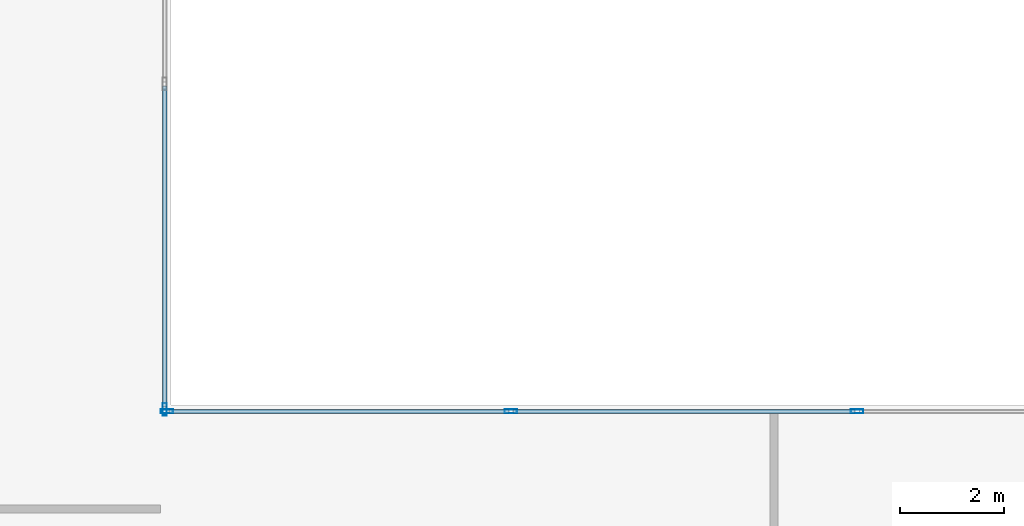
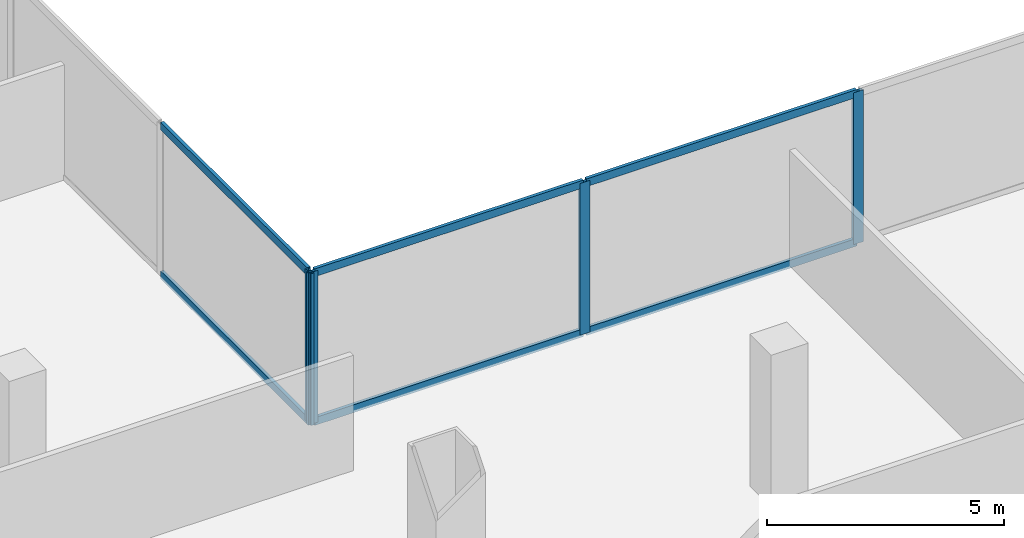
# One storey, part 9 of 29: 10 members, 2 elements without a shape of their own.
"""IFC4 building model written with IfcOpenShell, lengths in metres."""

import ifcopenshell
import ifcopenshell.guid

model = None  # the IFC model being written
_history = None  # IfcOwnerHistory: only IFC2X3 demands one
_inside = {}  # id of a spatial element -> (the spatial element, [elements in it])
_under = {}  # id of a project, library or spatial element -> (it, [spatial elements below it])
_declared = {}  # id of a project -> (the project, [libraries it declares])
_typed = {}  # id of a type object -> (the type object, [elements of that type])
_made_of = {}  # id of a material, layer set ... -> (it, [elements and type objects made of it])


def new_model(schema):
    """Start an empty IFC model of exactly this schema.

    Asked for "IFC4X3", IfcOpenShell would pick the latest addendum, in which some entities
    have other attributes; the version numbers below select the first issue.
    IFC2X3 requires an IfcOwnerHistory on every rooted entity: one is made here for all.
    """
    global model, _history
    if schema == "IFC4X3":
        model = ifcopenshell.file(schema_version=(4, 3, 0, 0))
    else:
        model = ifcopenshell.file(schema=schema)
    _inside.clear()
    _under.clear()
    _declared.clear()
    _typed.clear()
    _made_of.clear()
    _history = None
    if model.schema == "IFC2X3":
        org = make("IfcOrganization", Name="unknown")
        user = make(
            "IfcPersonAndOrganization",
            ThePerson=make("IfcPerson", FamilyName="unknown"),
            TheOrganization=org,
        )
        app = make(
            "IfcApplication",
            ApplicationDeveloper=org,
            Version="unknown",
            ApplicationFullName="unknown",
            ApplicationIdentifier="unknown",
        )
        _history = make(
            "IfcOwnerHistory",
            OwningUser=user,
            OwningApplication=app,
            ChangeAction="ADDED",
            CreationDate=0,
        )
    return model


def make(cls, **values):
    """One entity of the class cls with the attributes given. An attribute that is None is left unset."""
    return model.create_entity(
        cls, **{name: value for name, value in values.items() if value is not None}
    )


def rooted(cls, **values):
    """An entity with a GlobalId (a new one), such as an element, a storey or a relation."""
    return make(cls, GlobalId=ifcopenshell.guid.new(), OwnerHistory=_history, **values)


def si_unit(unit_type, name, prefix=None):
    """IfcSIUnit, for example si_unit("LENGTHUNIT", "METRE", prefix="MILLI")."""
    return make("IfcSIUnit", UnitType=unit_type, Prefix=prefix, Name=name)


def assignment(units):
    """IfcUnitAssignment: the units of a project."""
    return None if units is None else make("IfcUnitAssignment", Units=units)


def point(xyz):
    """IfcCartesianPoint."""
    return None if xyz is None else make("IfcCartesianPoint", Coordinates=xyz)


def direction(xyz):
    """IfcDirection."""
    return None if xyz is None else make("IfcDirection", DirectionRatios=xyz)


def frame(location, z_axis=None, x_axis=None):
    """IfcAxis2Placement3D, a coordinate frame: its origin and axes. An axis left out is left unset."""
    return make(
        "IfcAxis2Placement3D",
        Location=point(location),
        Axis=direction(z_axis),
        RefDirection=direction(x_axis),
    )


def frame_2d(location, x_axis=None):
    """IfcAxis2Placement2D, a coordinate frame in the plane: its origin and x axis."""
    return make(
        "IfcAxis2Placement2D", Location=point(location), RefDirection=direction(x_axis)
    )


def origin():
    """The frame at (0, 0, 0) with its axes left unset."""
    return frame((0.0, 0.0, 0.0))


def origin_2d():
    """The frame at (0, 0) in the plane with its x axis left unset."""
    return frame_2d((0.0, 0.0))


def place(relative_to, where):
    """IfcLocalPlacement: puts the frame where relative to a parent placement (None: the world)."""
    return make(
        "IfcLocalPlacement", PlacementRelTo=relative_to, RelativePlacement=where
    )


def context(
    kind, dimensions, precision=None, world=None, true_north=None, identifier=None
):
    """IfcGeometricRepresentationContext, for example the 3D "Model" context."""
    return make(
        "IfcGeometricRepresentationContext",
        ContextIdentifier=identifier,
        ContextType=kind,
        CoordinateSpaceDimension=dimensions,
        Precision=precision,
        WorldCoordinateSystem=world,
        TrueNorth=true_north,
    )


def subcontext(parent, identifier, kind, view, scale=None):
    """IfcGeometricRepresentationSubContext, for example "Body" below "Model"."""
    return make(
        "IfcGeometricRepresentationSubContext",
        ContextIdentifier=identifier,
        ContextType=kind,
        ParentContext=parent,
        TargetScale=scale,
        TargetView=view,
    )


def project(units=None, contexts=None):
    """IfcProject with its units and contexts."""
    return rooted(
        "IfcProject",
        Name="project",
        RepresentationContexts=contexts,
        UnitsInContext=assignment(units),
    )


def spatial(cls, under=None, at=None, **own):
    """A site, building, storey or space (cls), placed at a placement, below another one or the project."""
    s = rooted(cls, ObjectPlacement=at, **own)
    if under is not None:
        _under.setdefault(under.id(), (under, []))[1].append(s)
    return s


def profile(cls, at=None, kind="AREA", **sizes):
    """A parametric profile (cls). Its sizes go by their IFC names, for example OverallWidth=200.0."""
    return make(cls, ProfileType=kind, Position=at, **sizes)


def hollow_rectangle(**sizes):
    """IfcRectangleHollowProfileDef."""
    return profile("IfcRectangleHollowProfileDef", **sizes)


def extrude(swept, where, along, depth):
    """IfcExtrudedAreaSolid: the profile swept, set in the frame where, extruded along a direction by depth."""
    return make(
        "IfcExtrudedAreaSolid",
        SweptArea=swept,
        Position=where,
        ExtrudedDirection=direction(along),
        Depth=depth,
    )


def shape(context_of_items, identifier, shape_type, items):
    """IfcShapeRepresentation: the items that make up one representation, for example the "Body"."""
    return make(
        "IfcShapeRepresentation",
        ContextOfItems=context_of_items,
        RepresentationIdentifier=identifier,
        RepresentationType=shape_type,
        Items=items,
    )


def material(Name=None, Category=None):
    """IfcMaterial."""
    return make("IfcMaterial", Name=Name, Category=Category)


def material_profile(
    of_material, cross_section, Name=None, Category=None, Priority=None
):
    """IfcMaterialProfile: a cross section and its material."""
    return make(
        "IfcMaterialProfile",
        Name=Name,
        Material=of_material,
        Profile=cross_section,
        Priority=Priority,
        Category=Category,
    )


def profile_set(profiles, Name=None, composite=None):
    """IfcMaterialProfileSet."""
    return make(
        "IfcMaterialProfileSet",
        Name=Name,
        MaterialProfiles=profiles,
        CompositeProfile=composite,
    )


def made_of(thing, what):
    """Note that an element or type object is made of a material, layer set ...; save() writes the relation."""
    if what is not None:
        _made_of.setdefault(what.id(), (what, []))[1].append(thing)
    return thing


def type_object(cls, material=None, **own):
    """A type object (cls), such as IfcWallType, which elements share."""
    return made_of(rooted(cls, **own), material)


def element(
    cls,
    number,
    at=None,
    inside=None,
    cuts=None,
    type_object=None,
    material=None,
    context=None,
    identifier="Body",
    shape_type=None,
    held_by="IfcProductDefinitionShape",
    body=None,
    shapes=None,
    **own,
):
    """One element of the class cls, such as IfcWall. Its Tag is "e" and its number.

    at: its placement. inside: the storey or other place that contains it. cuts: it is an
    opening in that element (IfcRelVoidsElement). A single representation is given by context,
    identifier, shape_type and body (its items); several are given by shapes. held_by: the class
    of the entity that holds the representations. save() writes the other relations.
    """
    e = rooted(cls, Tag="e%d" % number, ObjectPlacement=at, **own)
    if body is not None:
        shapes = [shape(context, identifier, shape_type, body)]
    if shapes is not None:
        e.Representation = make(held_by, Representations=shapes)
    if inside is not None:
        _inside.setdefault(inside.id(), (inside, []))[1].append(e)
    if cuts is not None:
        rooted(
            "IfcRelVoidsElement", RelatingBuildingElement=cuts, RelatedOpeningElement=e
        )
    if type_object is not None:
        _typed.setdefault(type_object.id(), (type_object, []))[1].append(e)
    return made_of(e, material)


def aggregate(whole, parts):
    """IfcRelAggregates: a whole, such as a stair, and the parts it consists of."""
    return rooted("IfcRelAggregates", RelatingObject=whole, RelatedObjects=parts)


def save(model, path):
    """Write the relations noted so far, then the file.

    IfcRelAggregates (storeys below a building ...), IfcRelContainedInSpatialStructure (elements
    in a storey), IfcRelDefinesByType, IfcRelAssociatesMaterial and IfcRelDeclares: one each for
    every whole, place, type object, material and project.
    """
    for whole, parts in _under.values():
        aggregate(whole, parts)
    for where, things in _inside.values():
        rooted(
            "IfcRelContainedInSpatialStructure",
            RelatedElements=things,
            RelatingStructure=where,
        )
    for kind, things in _typed.values():
        rooted("IfcRelDefinesByType", RelatedObjects=things, RelatingType=kind)
    for what, things in _made_of.values():
        rooted("IfcRelAssociatesMaterial", RelatedObjects=things, RelatingMaterial=what)
    for by, libraries in _declared.values():
        rooted("IfcRelDeclares", RelatingContext=by, RelatedDefinitions=libraries)
    model.write(path)


model = new_model("IFC4")

# Units and contexts
model_context = context("Model", 3, precision=1e-05, world=origin(), true_north=direction((0.0, 1.0)))
body_context = subcontext(model_context, "Body", "Model", "MODEL_VIEW")
ifc_project = project(units=[si_unit("LENGTHUNIT", "METRE"), si_unit("AREAUNIT", "SQUARE_METRE"), si_unit("VOLUMEUNIT", "CUBIC_METRE"), si_unit("PLANEANGLEUNIT", "RADIAN"), si_unit("MASSUNIT", "GRAM", prefix="KILO")], contexts=[model_context])

# Site, building, storey
site_placement = place(None, origin())
site = spatial("IfcSite", under=ifc_project, at=site_placement, CompositionType="ELEMENT")
building_placement = place(site_placement, origin())
building = spatial("IfcBuilding", under=site, at=building_placement, Name="Cobrela Telecom Tower", CompositionType="ELEMENT")
storey_placement = place(building_placement, frame((0.0, 0.0, 13.64990234375)))
storey = spatial("IfcBuildingStorey", under=building, at=storey_placement, Name="L03", CompositionType="ELEMENT", Elevation=13.64990234375)

# Curtain wall, member
ifc_material = material(Name="Anodized Bronze Aluminium 6063-T6", Category="aluminium")
curtain_wall_type = type_object("IfcCurtainWallType", Name="CW-SYS-CONC", PredefinedType="USERDEFINED", material=ifc_material)
curtain_wall_1_placement = place(storey_placement, origin())
curtain_wall_1 = element("IfcCurtainWall", 1, at=curtain_wall_1_placement, inside=storey, type_object=curtain_wall_type, Name="L03 Unitised Bronze Curtain Wall 10", ObjectType="UNITISED CURTAIN WALL", PredefinedType="USERDEFINED")
ifc_material_profile_1 = material_profile(ifc_material, hollow_rectangle(XDim=0.080078125, YDim=0.239990234375, WallThickness=0.0048828125, at=origin_2d()), Name="ALU 80x240x5")
ifc_profile_set_1 = profile_set([ifc_material_profile_1], Name="Anodized Bronze Aluminium 6063-T6")
member_type_1 = type_object("IfcMemberType", Name="CW-SYS-CONC-MUL", PredefinedType="MULLION", material=ifc_profile_set_1)
member_1_placement = place(storey_placement, frame((50.280029296875, 28.719970703125, 0.0), z_axis=(0.0, 0.0, 1.0), x_axis=(1.0, 0.0, 0.0)))
member_1 = element("IfcMember", 2, at=member_1_placement, type_object=member_type_1, Name="CW-CONC mullion 4", PredefinedType="MULLION", context=body_context, shape_type="SweptSolid", body=[
    extrude(hollow_rectangle(XDim=0.080078125, YDim=0.239990234375, WallThickness=0.0048828125, at=origin_2d()), origin(), (0.0, 0.0, 1.0), 3.91015625),
])

# Curtain wall, members
curtain_wall_2_placement = place(storey_placement, origin())
curtain_wall_2 = element("IfcCurtainWall", 3, at=curtain_wall_2_placement, inside=storey, type_object=curtain_wall_type, Name="L03 Unitised Bronze Curtain Wall 11", ObjectType="UNITISED CURTAIN WALL", PredefinedType="USERDEFINED")
member_2_placement = place(storey_placement, frame((50.320068359375, 28.679931640625, 0.0), z_axis=(0.0, 0.0, 1.0), x_axis=(0.0, 1.0, 0.0)))
member_2 = element("IfcMember", 4, at=member_2_placement, type_object=member_type_1, Name="CW-CONC mullion 1", PredefinedType="MULLION", context=body_context, shape_type="SweptSolid", body=[
    extrude(hollow_rectangle(XDim=0.080078125, YDim=0.239990234375, WallThickness=0.0048828125, at=origin_2d()), origin(), (0.0, 0.0, 1.0), 3.91015625),
])
member_3_placement = place(storey_placement, frame((56.93994140625, 28.679931640625, 0.0), z_axis=(0.0, 0.0, 1.0), x_axis=(0.0, 1.0, 0.0)))
member_3 = element("IfcMember", 5, at=member_3_placement, type_object=member_type_1, Name="CW-CONC mullion 2", PredefinedType="MULLION", context=body_context, shape_type="SweptSolid", body=[
    extrude(hollow_rectangle(XDim=0.080078125, YDim=0.239990234375, WallThickness=0.0048828125, at=origin_2d()), origin(), (0.0, 0.0, 1.0), 3.91015625),
])
member_4_placement = place(storey_placement, frame((63.60009765625, 28.679931640625, 0.0), z_axis=(0.0, 0.0, 1.0), x_axis=(0.0, 1.0, 0.0)))
member_4 = element("IfcMember", 6, at=member_4_placement, type_object=member_type_1, Name="CW-CONC mullion 3", PredefinedType="MULLION", context=body_context, shape_type="SweptSolid", body=[
    extrude(hollow_rectangle(XDim=0.080078125, YDim=0.239990234375, WallThickness=0.0048828125, at=origin_2d()), origin(), (0.0, 0.0, 1.0), 3.91015625),
])

# Member
ifc_material_profile_2 = material_profile(ifc_material, hollow_rectangle(XDim=0.080078125, YDim=0.199951171875, WallThickness=0.00390625, at=origin_2d()), Name="ALU 80x200x4")
ifc_profile_set_2 = profile_set([ifc_material_profile_2], Name="Anodized Bronze Aluminium 6063-T6")
member_type_2 = type_object("IfcMemberType", Name="CW-SYS-CONC-TRN", PredefinedType="USERDEFINED", material=ifc_profile_set_2)
member_5_placement = place(storey_placement, frame((50.280029296875, 34.93994140625, 0.0400390625), z_axis=(0.0, -1.0, 0.0), x_axis=(1.0, 0.0, 0.0)))
member_5 = element("IfcMember", 7, at=member_5_placement, type_object=member_type_2, Name="CW-CONC transom 3.1", ObjectType="TRANSOM", PredefinedType="USERDEFINED", context=body_context, shape_type="SweptSolid", body=[
    extrude(hollow_rectangle(XDim=0.080078125, YDim=0.199951171875, WallThickness=0.00390625, at=origin_2d()), origin(), (0.0, 0.0, 1.0), 6.179931640625),
])

member_6_placement = place(storey_placement, frame((50.280029296875, 34.93994140625, 3.8701171875), z_axis=(0.0, -1.0, 0.0), x_axis=(1.0, 0.0, 0.0)))
member_6 = element("IfcMember", 8, at=member_6_placement, type_object=member_type_2, Name="CW-CONC transom 3.2", ObjectType="TRANSOM", PredefinedType="USERDEFINED", context=body_context, shape_type="SweptSolid", body=[
    extrude(hollow_rectangle(XDim=0.080078125, YDim=0.199951171875, WallThickness=0.00390625, at=origin_2d()), origin(), (0.0, 0.0, 1.0), 6.179931640625),
])

aggregate(curtain_wall_1, [member_1, member_5, member_6])

member_7_placement = place(storey_placement, frame((50.360107421875, 28.679931640625, 0.0400390625), z_axis=(1.0, 0.0, 0.0), x_axis=(0.0, 1.0, 0.0)))
member_7 = element("IfcMember", 9, at=member_7_placement, type_object=member_type_2, Name="CW-CONC transom 1.1", ObjectType="TRANSOM", PredefinedType="USERDEFINED", context=body_context, shape_type="SweptSolid", body=[
    extrude(hollow_rectangle(XDim=0.080078125, YDim=0.199951171875, WallThickness=0.00390625, at=origin_2d()), origin(), (0.0, 0.0, 1.0), 6.539794921875),
])

member_8_placement = place(storey_placement, frame((50.360107421875, 28.679931640625, 3.8701171875), z_axis=(1.0, 0.0, 0.0), x_axis=(0.0, 1.0, 0.0)))
member_8 = element("IfcMember", 10, at=member_8_placement, type_object=member_type_2, Name="CW-CONC transom 1.2", ObjectType="TRANSOM", PredefinedType="USERDEFINED", context=body_context, shape_type="SweptSolid", body=[
    extrude(hollow_rectangle(XDim=0.080078125, YDim=0.199951171875, WallThickness=0.00390625, at=origin_2d()), origin(), (0.0, 0.0, 1.0), 6.539794921875),
])

member_9_placement = place(storey_placement, frame((56.97998046875, 28.679931640625, 0.0400390625), z_axis=(1.0, 0.0, 0.0), x_axis=(0.0, 1.0, 0.0)))
member_9 = element("IfcMember", 11, at=member_9_placement, type_object=member_type_2, Name="CW-CONC transom 2.1", ObjectType="TRANSOM", PredefinedType="USERDEFINED", context=body_context, shape_type="SweptSolid", body=[
    extrude(hollow_rectangle(XDim=0.080078125, YDim=0.199951171875, WallThickness=0.00390625, at=origin_2d()), origin(), (0.0, 0.0, 1.0), 6.580078125),
])

member_10_placement = place(storey_placement, frame((56.97998046875, 28.679931640625, 3.8701171875), z_axis=(1.0, 0.0, 0.0), x_axis=(0.0, 1.0, 0.0)))
member_10 = element("IfcMember", 12, at=member_10_placement, type_object=member_type_2, Name="CW-CONC transom 2.2", ObjectType="TRANSOM", PredefinedType="USERDEFINED", context=body_context, shape_type="SweptSolid", body=[
    extrude(hollow_rectangle(XDim=0.080078125, YDim=0.199951171875, WallThickness=0.00390625, at=origin_2d()), origin(), (0.0, 0.0, 1.0), 6.580078125),
])

aggregate(curtain_wall_2, [member_2, member_3, member_4, member_7, member_8, member_9, member_10])

save(model, "model.ifc")
